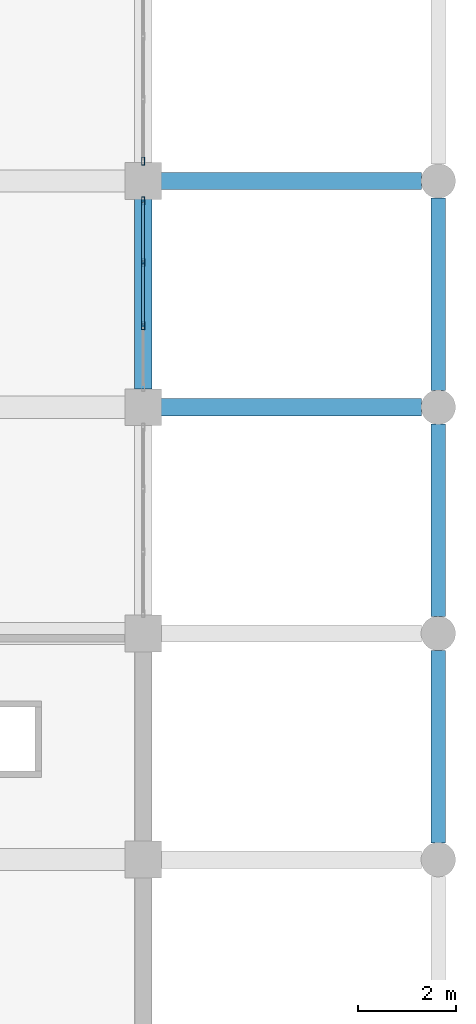
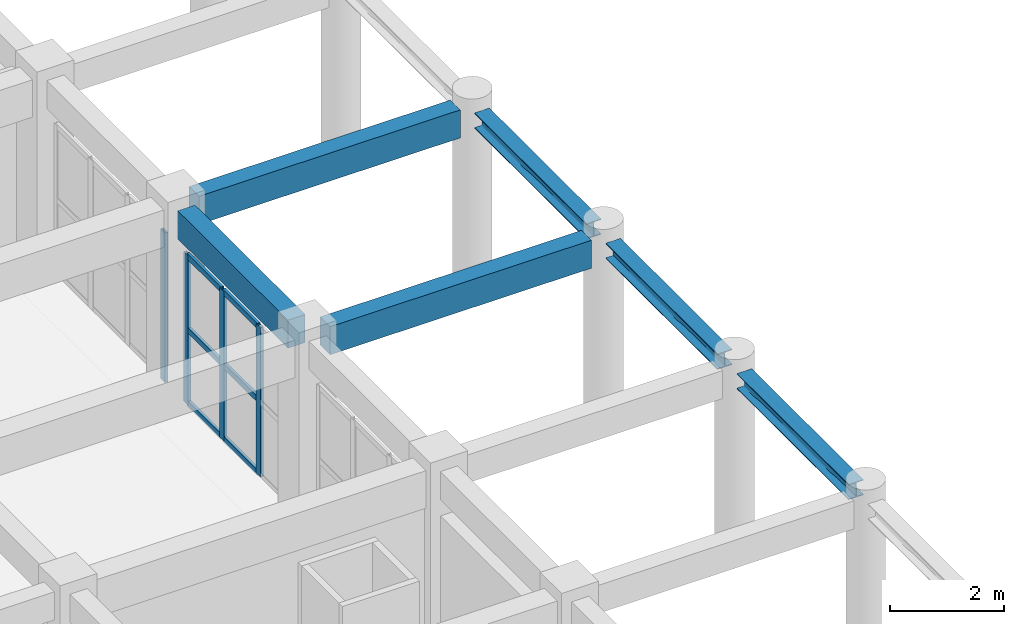
# One storey, part 73 of 116: 10 members, 6 beams, 2 elements without a shape of their own.
"""IFC4 building model written with IfcOpenShell, lengths in metres."""

import ifcopenshell
import ifcopenshell.guid

model = None  # the IFC model being written
_history = None  # IfcOwnerHistory: only IFC2X3 demands one
_inside = {}  # id of a spatial element -> (the spatial element, [elements in it])
_under = {}  # id of a project, library or spatial element -> (it, [spatial elements below it])
_declared = {}  # id of a project -> (the project, [libraries it declares])
_typed = {}  # id of a type object -> (the type object, [elements of that type])
_made_of = {}  # id of a material, layer set ... -> (it, [elements and type objects made of it])


def new_model(schema):
    """Start an empty IFC model of exactly this schema.

    Asked for "IFC4X3", IfcOpenShell would pick the latest addendum, in which some entities
    have other attributes; the version numbers below select the first issue.
    IFC2X3 requires an IfcOwnerHistory on every rooted entity: one is made here for all.
    """
    global model, _history
    if schema == "IFC4X3":
        model = ifcopenshell.file(schema_version=(4, 3, 0, 0))
    else:
        model = ifcopenshell.file(schema=schema)
    _inside.clear()
    _under.clear()
    _declared.clear()
    _typed.clear()
    _made_of.clear()
    _history = None
    if model.schema == "IFC2X3":
        org = make("IfcOrganization", Name="unknown")
        user = make(
            "IfcPersonAndOrganization",
            ThePerson=make("IfcPerson", FamilyName="unknown"),
            TheOrganization=org,
        )
        app = make(
            "IfcApplication",
            ApplicationDeveloper=org,
            Version="unknown",
            ApplicationFullName="unknown",
            ApplicationIdentifier="unknown",
        )
        _history = make(
            "IfcOwnerHistory",
            OwningUser=user,
            OwningApplication=app,
            ChangeAction="ADDED",
            CreationDate=0,
        )
    return model


def make(cls, **values):
    """One entity of the class cls with the attributes given. An attribute that is None is left unset."""
    return model.create_entity(
        cls, **{name: value for name, value in values.items() if value is not None}
    )


def rooted(cls, **values):
    """An entity with a GlobalId (a new one), such as an element, a storey or a relation."""
    return make(cls, GlobalId=ifcopenshell.guid.new(), OwnerHistory=_history, **values)


def si_unit(unit_type, name, prefix=None):
    """IfcSIUnit, for example si_unit("LENGTHUNIT", "METRE", prefix="MILLI")."""
    return make("IfcSIUnit", UnitType=unit_type, Prefix=prefix, Name=name)


def assignment(units):
    """IfcUnitAssignment: the units of a project."""
    return None if units is None else make("IfcUnitAssignment", Units=units)


def point(xyz):
    """IfcCartesianPoint."""
    return None if xyz is None else make("IfcCartesianPoint", Coordinates=xyz)


def direction(xyz):
    """IfcDirection."""
    return None if xyz is None else make("IfcDirection", DirectionRatios=xyz)


def frame(location, z_axis=None, x_axis=None):
    """IfcAxis2Placement3D, a coordinate frame: its origin and axes. An axis left out is left unset."""
    return make(
        "IfcAxis2Placement3D",
        Location=point(location),
        Axis=direction(z_axis),
        RefDirection=direction(x_axis),
    )


def frame_2d(location, x_axis=None):
    """IfcAxis2Placement2D, a coordinate frame in the plane: its origin and x axis."""
    return make(
        "IfcAxis2Placement2D", Location=point(location), RefDirection=direction(x_axis)
    )


def origin():
    """The frame at (0, 0, 0) with its axes left unset."""
    return frame((0.0, 0.0, 0.0))


def origin_2d():
    """The frame at (0, 0) in the plane with its x axis left unset."""
    return frame_2d((0.0, 0.0))


def place(relative_to, where):
    """IfcLocalPlacement: puts the frame where relative to a parent placement (None: the world)."""
    return make(
        "IfcLocalPlacement", PlacementRelTo=relative_to, RelativePlacement=where
    )


def context(
    kind, dimensions, precision=None, world=None, true_north=None, identifier=None
):
    """IfcGeometricRepresentationContext, for example the 3D "Model" context."""
    return make(
        "IfcGeometricRepresentationContext",
        ContextIdentifier=identifier,
        ContextType=kind,
        CoordinateSpaceDimension=dimensions,
        Precision=precision,
        WorldCoordinateSystem=world,
        TrueNorth=true_north,
    )


def subcontext(parent, identifier, kind, view, scale=None):
    """IfcGeometricRepresentationSubContext, for example "Body" below "Model"."""
    return make(
        "IfcGeometricRepresentationSubContext",
        ContextIdentifier=identifier,
        ContextType=kind,
        ParentContext=parent,
        TargetScale=scale,
        TargetView=view,
    )


def project(units=None, contexts=None):
    """IfcProject with its units and contexts."""
    return rooted(
        "IfcProject",
        Name="project",
        RepresentationContexts=contexts,
        UnitsInContext=assignment(units),
    )


def spatial(cls, under=None, at=None, **own):
    """A site, building, storey or space (cls), placed at a placement, below another one or the project."""
    s = rooted(cls, ObjectPlacement=at, **own)
    if under is not None:
        _under.setdefault(under.id(), (under, []))[1].append(s)
    return s


def profile(cls, at=None, kind="AREA", **sizes):
    """A parametric profile (cls). Its sizes go by their IFC names, for example OverallWidth=200.0."""
    return make(cls, ProfileType=kind, Position=at, **sizes)


def rectangle(**sizes):
    """IfcRectangleProfileDef."""
    return profile("IfcRectangleProfileDef", **sizes)


def hollow_rectangle(**sizes):
    """IfcRectangleHollowProfileDef."""
    return profile("IfcRectangleHollowProfileDef", **sizes)


def i_section(**sizes):
    """IfcIShapeProfileDef."""
    return profile("IfcIShapeProfileDef", **sizes)


def extrude(swept, where, along, depth):
    """IfcExtrudedAreaSolid: the profile swept, set in the frame where, extruded along a direction by depth."""
    return make(
        "IfcExtrudedAreaSolid",
        SweptArea=swept,
        Position=where,
        ExtrudedDirection=direction(along),
        Depth=depth,
    )


def shape(context_of_items, identifier, shape_type, items):
    """IfcShapeRepresentation: the items that make up one representation, for example the "Body"."""
    return make(
        "IfcShapeRepresentation",
        ContextOfItems=context_of_items,
        RepresentationIdentifier=identifier,
        RepresentationType=shape_type,
        Items=items,
    )


def material(Name=None, Category=None):
    """IfcMaterial."""
    return make("IfcMaterial", Name=Name, Category=Category)


def layer(
    of_material, thickness, ventilated=None, Name=None, Category=None, Priority=None
):
    """IfcMaterialLayer: one layer of a wall or slab, of a material (None: an air gap)."""
    return make(
        "IfcMaterialLayer",
        Material=of_material,
        LayerThickness=thickness,
        IsVentilated=ventilated,
        Name=Name,
        Category=Category,
        Priority=Priority,
    )


def layer_set(layers, Name=None):
    """IfcMaterialLayerSet."""
    return make("IfcMaterialLayerSet", MaterialLayers=layers, LayerSetName=Name)


def material_profile(
    of_material, cross_section, Name=None, Category=None, Priority=None
):
    """IfcMaterialProfile: a cross section and its material."""
    return make(
        "IfcMaterialProfile",
        Name=Name,
        Material=of_material,
        Profile=cross_section,
        Priority=Priority,
        Category=Category,
    )


def profile_set(profiles, Name=None, composite=None):
    """IfcMaterialProfileSet."""
    return make(
        "IfcMaterialProfileSet",
        Name=Name,
        MaterialProfiles=profiles,
        CompositeProfile=composite,
    )


def made_of(thing, what):
    """Note that an element or type object is made of a material, layer set ...; save() writes the relation."""
    if what is not None:
        _made_of.setdefault(what.id(), (what, []))[1].append(thing)
    return thing


def type_object(cls, material=None, **own):
    """A type object (cls), such as IfcWallType, which elements share."""
    return made_of(rooted(cls, **own), material)


def element(
    cls,
    number,
    at=None,
    inside=None,
    cuts=None,
    type_object=None,
    material=None,
    context=None,
    identifier="Body",
    shape_type=None,
    held_by="IfcProductDefinitionShape",
    body=None,
    shapes=None,
    **own,
):
    """One element of the class cls, such as IfcWall. Its Tag is "e" and its number.

    at: its placement. inside: the storey or other place that contains it. cuts: it is an
    opening in that element (IfcRelVoidsElement). A single representation is given by context,
    identifier, shape_type and body (its items); several are given by shapes. held_by: the class
    of the entity that holds the representations. save() writes the other relations.
    """
    e = rooted(cls, Tag="e%d" % number, ObjectPlacement=at, **own)
    if body is not None:
        shapes = [shape(context, identifier, shape_type, body)]
    if shapes is not None:
        e.Representation = make(held_by, Representations=shapes)
    if inside is not None:
        _inside.setdefault(inside.id(), (inside, []))[1].append(e)
    if cuts is not None:
        rooted(
            "IfcRelVoidsElement", RelatingBuildingElement=cuts, RelatedOpeningElement=e
        )
    if type_object is not None:
        _typed.setdefault(type_object.id(), (type_object, []))[1].append(e)
    return made_of(e, material)


def aggregate(whole, parts):
    """IfcRelAggregates: a whole, such as a stair, and the parts it consists of."""
    return rooted("IfcRelAggregates", RelatingObject=whole, RelatedObjects=parts)


def save(model, path):
    """Write the relations noted so far, then the file.

    IfcRelAggregates (storeys below a building ...), IfcRelContainedInSpatialStructure (elements
    in a storey), IfcRelDefinesByType, IfcRelAssociatesMaterial and IfcRelDeclares: one each for
    every whole, place, type object, material and project.
    """
    for whole, parts in _under.values():
        aggregate(whole, parts)
    for where, things in _inside.values():
        rooted(
            "IfcRelContainedInSpatialStructure",
            RelatedElements=things,
            RelatingStructure=where,
        )
    for kind, things in _typed.values():
        rooted("IfcRelDefinesByType", RelatedObjects=things, RelatingType=kind)
    for what, things in _made_of.values():
        rooted("IfcRelAssociatesMaterial", RelatedObjects=things, RelatingMaterial=what)
    for by, libraries in _declared.values():
        rooted("IfcRelDeclares", RelatingContext=by, RelatedDefinitions=libraries)
    model.write(path)


model = new_model("IFC4")

# Units and contexts
model_context = context("Model", 3, precision=1e-05, world=origin(), true_north=direction((0.0, 1.0)))
body_context = subcontext(model_context, "Body", "Model", "MODEL_VIEW")
ifc_project = project(units=[si_unit("LENGTHUNIT", "METRE"), si_unit("AREAUNIT", "SQUARE_METRE"), si_unit("VOLUMEUNIT", "CUBIC_METRE"), si_unit("PLANEANGLEUNIT", "RADIAN"), si_unit("MASSUNIT", "GRAM", prefix="KILO")], contexts=[model_context])

# Site, building, storey
site_placement = place(None, origin())
site = spatial("IfcSite", under=ifc_project, at=site_placement, CompositionType="ELEMENT")
building_placement = place(site_placement, origin())
building = spatial("IfcBuilding", under=site, at=building_placement, Name="Muzn Square Opera House", CompositionType="ELEMENT")
storey_placement = place(building_placement, frame((0.0, 0.0, 5.39990234375)))
storey = spatial("IfcBuildingStorey", under=building, at=storey_placement, Name="L01", CompositionType="ELEMENT", Elevation=5.39990234375)

# Curtain wall, members
ifc_material_1 = material(Name="Low-E laminated acoustic double glazing", Category="glass")
ifc_layer = layer(ifc_material_1, 0.159912109375, Name="Low-E laminated acoustic double glazing", Category="glass")
ifc_layer_set = layer_set([ifc_layer], Name="Low-E laminated acoustic double glazing")
curtain_wall_type = type_object("IfcCurtainWallType", Name="Glazed Curtain Wall EastBlvd 3850x3200", PredefinedType="USERDEFINED", material=ifc_layer_set)
curtain_wall_1_placement = place(storey_placement, origin())
curtain_wall_1 = element("IfcCurtainWall", 1, at=curtain_wall_1_placement, inside=storey, type_object=curtain_wall_type, Name="Glazed Curtain Wall CW-L01-117", ObjectType="GLAZED CURTAIN WALL", PredefinedType="USERDEFINED")
ifc_material_2 = material(Name="Anodised bronze aluminium 6063-T6", Category="metal")
ifc_material_profile_1 = material_profile(ifc_material_2, hollow_rectangle(XDim=0.06005859375, YDim=0.159912109375, WallThickness=0.00390625, at=origin_2d()), Name="ALU 160x60x4", Category="metal")
ifc_profile_set_1 = profile_set([ifc_material_profile_1], Name="Anodised bronze aluminium 6063-T6")
member_type_1 = type_object("IfcMemberType", Name="Curtain Wall Mullion 160x60", PredefinedType="MULLION", material=ifc_profile_set_1)
member_1_placement = place(storey_placement, frame((170.0, 60.458251953125, 0.0), z_axis=(0.0, 0.0, 1.0), x_axis=(-1.0, 0.0, 0.0)))
member_1 = element("IfcMember", 2, at=member_1_placement, type_object=member_type_1, Name="CW-EBL-38x32 mullion 2", PredefinedType="MULLION", context=body_context, shape_type="SweptSolid", body=[
    extrude(hollow_rectangle(XDim=0.06005859375, YDim=0.159912109375, WallThickness=0.00390625, at=origin_2d()), origin(), (0.0, 0.0, 1.0), 3.2001953125),
])
member_2_placement = place(storey_placement, frame((170.0, 61.74169921875, 0.0), z_axis=(0.0, 0.0, 1.0), x_axis=(-1.0, 0.0, 0.0)))
member_2 = element("IfcMember", 3, at=member_2_placement, type_object=member_type_1, Name="CW-EBL-38x32 mullion 3", PredefinedType="MULLION", context=body_context, shape_type="SweptSolid", body=[
    extrude(hollow_rectangle(XDim=0.06005859375, YDim=0.159912109375, WallThickness=0.00390625, at=origin_2d()), origin(), (0.0, 0.0, 1.0), 3.2001953125),
])
member_3_placement = place(storey_placement, frame((170.0, 62.9951171875, 0.0), z_axis=(0.0, 0.0, 1.0), x_axis=(-1.0, 0.0, 0.0)))
member_3 = element("IfcMember", 4, at=member_3_placement, type_object=member_type_1, Name="CW-EBL-38x32 mullion 4", PredefinedType="MULLION", context=body_context, shape_type="SweptSolid", body=[
    extrude(hollow_rectangle(XDim=0.06005859375, YDim=0.159912109375, WallThickness=0.00390625, at=origin_2d()), origin(), (0.0, 0.0, 1.0), 3.2001953125),
])

# Curtain wall, member
curtain_wall_2_placement = place(storey_placement, origin())
curtain_wall_2 = element("IfcCurtainWall", 5, at=curtain_wall_2_placement, inside=storey, type_object=curtain_wall_type, Name="Glazed Curtain Wall CW-L01-118", ObjectType="GLAZED CURTAIN WALL", PredefinedType="USERDEFINED")
member_4_placement = place(storey_placement, frame((170.0, 63.804931640625, 0.0), z_axis=(0.0, 0.0, 1.0), x_axis=(-1.0, 0.0, 0.0)))
member_4 = element("IfcMember", 6, at=member_4_placement, type_object=member_type_1, Name="CW-EBL-38x32 mullion 1", PredefinedType="MULLION", context=body_context, shape_type="SweptSolid", body=[
    extrude(hollow_rectangle(XDim=0.06005859375, YDim=0.159912109375, WallThickness=0.00390625, at=origin_2d()), origin(), (0.0, 0.0, 1.0), 3.2001953125),
])
aggregate(curtain_wall_2, [member_4])

# Member
ifc_material_profile_2 = material_profile(ifc_material_2, hollow_rectangle(XDim=0.06005859375, YDim=0.1201171875, WallThickness=0.00390625, at=origin_2d()), Name="ALU 120x60x4", Category="metal")
ifc_profile_set_2 = profile_set([ifc_material_profile_2], Name="Anodised bronze aluminium 6063-T6")
member_type_2 = type_object("IfcMemberType", Name="Curtain Wall Transom 120x60", PredefinedType="USERDEFINED", material=ifc_profile_set_2)
member_5_placement = place(storey_placement, frame((170.0, 60.48828125, 0.030029296875), z_axis=(0.0, 1.0, 0.0), x_axis=(-1.0, 0.0, 0.0)))
member_5 = element("IfcMember", 7, at=member_5_placement, type_object=member_type_2, Name="CW-EBL-38x32 transom 2.1", ObjectType="TRANSOM", PredefinedType="USERDEFINED", context=body_context, shape_type="SweptSolid", body=[
    extrude(hollow_rectangle(XDim=0.06005859375, YDim=0.1201171875, WallThickness=0.00390625, at=origin_2d()), origin(), (0.0, 0.0, 1.0), 1.223388671875),
])

member_6_placement = place(storey_placement, frame((170.0, 60.48828125, 1.60009765625), z_axis=(0.0, 1.0, 0.0), x_axis=(-1.0, 0.0, 0.0)))
member_6 = element("IfcMember", 8, at=member_6_placement, type_object=member_type_2, Name="CW-EBL-38x32 transom 2.2", ObjectType="TRANSOM", PredefinedType="USERDEFINED", context=body_context, shape_type="SweptSolid", body=[
    extrude(hollow_rectangle(XDim=0.06005859375, YDim=0.1201171875, WallThickness=0.00390625, at=origin_2d()), origin(), (0.0, 0.0, 1.0), 1.223388671875),
])

member_7_placement = place(storey_placement, frame((170.0, 60.48828125, 3.170166015625), z_axis=(0.0, 1.0, 0.0), x_axis=(-1.0, 0.0, 0.0)))
member_7 = element("IfcMember", 9, at=member_7_placement, type_object=member_type_2, Name="CW-EBL-38x32 transom 2.3", ObjectType="TRANSOM", PredefinedType="USERDEFINED", context=body_context, shape_type="SweptSolid", body=[
    extrude(hollow_rectangle(XDim=0.06005859375, YDim=0.1201171875, WallThickness=0.00390625, at=origin_2d()), origin(), (0.0, 0.0, 1.0), 1.223388671875),
])

member_8_placement = place(storey_placement, frame((170.0, 61.771728515625, 0.030029296875), z_axis=(0.0, 1.0, 0.0), x_axis=(-1.0, 0.0, 0.0)))
member_8 = element("IfcMember", 10, at=member_8_placement, type_object=member_type_2, Name="CW-EBL-38x32 transom 3.1", ObjectType="TRANSOM", PredefinedType="USERDEFINED", context=body_context, shape_type="SweptSolid", body=[
    extrude(hollow_rectangle(XDim=0.06005859375, YDim=0.1201171875, WallThickness=0.00390625, at=origin_2d()), origin(), (0.0, 0.0, 1.0), 1.193359375),
])

member_9_placement = place(storey_placement, frame((170.0, 61.771728515625, 1.60009765625), z_axis=(0.0, 1.0, 0.0), x_axis=(-1.0, 0.0, 0.0)))
member_9 = element("IfcMember", 11, at=member_9_placement, type_object=member_type_2, Name="CW-EBL-38x32 transom 3.2", ObjectType="TRANSOM", PredefinedType="USERDEFINED", context=body_context, shape_type="SweptSolid", body=[
    extrude(hollow_rectangle(XDim=0.06005859375, YDim=0.1201171875, WallThickness=0.00390625, at=origin_2d()), origin(), (0.0, 0.0, 1.0), 1.193359375),
])

member_10_placement = place(storey_placement, frame((170.0, 61.771728515625, 3.170166015625), z_axis=(0.0, 1.0, 0.0), x_axis=(-1.0, 0.0, 0.0)))
member_10 = element("IfcMember", 12, at=member_10_placement, type_object=member_type_2, Name="CW-EBL-38x32 transom 3.3", ObjectType="TRANSOM", PredefinedType="USERDEFINED", context=body_context, shape_type="SweptSolid", body=[
    extrude(hollow_rectangle(XDim=0.06005859375, YDim=0.1201171875, WallThickness=0.00390625, at=origin_2d()), origin(), (0.0, 0.0, 1.0), 1.193359375),
])

aggregate(curtain_wall_1, [member_1, member_2, member_3, member_5, member_6, member_7, member_8, member_9, member_10])

# Beams
ifc_material_3 = material(Name="Concrete C40/50", Category="concrete")
ifc_material_profile_3 = material_profile(ifc_material_3, rectangle(XDim=0.35009765625, YDim=0.60009765625, at=origin_2d()), Name="RCB 350x600", Category="concrete")
ifc_profile_set_3 = profile_set([ifc_material_profile_3], Name="Concrete C40/50")
beam_type_1 = type_object("IfcBeamType", Name="Primary Girder 350x600", PredefinedType="BEAM", material=ifc_profile_set_3)
for number, where, z_axis, x_axis, name in (
    (13, (170.366943359375, 58.800048828125, 3.85009765625), (1.0, 0.0, 0.0), (0.0, 1.0, 0.0), "Primary Girder BM-L01-BM-PG600-1704_588_1757_588-1393"),
    (14, (170.366943359375, 63.39990234375, 3.85009765625), (1.0, 0.0, 0.0), (0.0, 1.0, 0.0), "Primary Girder BM-L01-BM-PG600-1704_634_1757_634-1411"),
):
    element("IfcBeam", number, at=place(storey_placement, frame(where, z_axis=z_axis, x_axis=x_axis)), inside=storey, type_object=beam_type_1, Name=name, PredefinedType="BEAM", context=body_context, shape_type="SweptSolid", body=[
        extrude(rectangle(XDim=0.35009765625, YDim=0.60009765625, at=origin_2d()), origin(), (0.0, 0.0, 1.0), 5.291015625),
    ])
beam_placement = place(storey_placement, frame((170.0, 59.1669921875, 3.85009765625), z_axis=(0.0, 1.0, 0.0), x_axis=(-1.0, 0.0, 0.0)))
element("IfcBeam", 15, at=beam_placement, inside=storey, type_object=beam_type_1, Name="Primary Girder BM-L01-BM-PG600-1700_592_1700_630-1776", PredefinedType="BEAM", context=body_context, shape_type="SweptSolid", body=[
    extrude(rectangle(XDim=0.35009765625, YDim=0.60009765625, at=origin_2d()), origin(), (0.0, 0.0, 1.0), 3.865966796875),
])
ifc_material_4 = material(Name="Steel S355", Category="steel")
ifc_material_profile_4 = material_profile(ifc_material_4, i_section(OverallWidth=0.300048828125, OverallDepth=0.330078125, WebThickness=0.009521484375, FlangeThickness=0.0166015625, FilletRadius=0.027099609375, at=origin_2d()), Name="HEA 340", Category="steel")
ifc_profile_set_4 = profile_set([ifc_material_profile_4], Name="Steel S355")
beam_type_2 = type_object("IfcBeamType", Name="Steel Spandrel Beam HEA340", PredefinedType="SPANDREL", material=ifc_profile_set_4)
for number, where, z_axis, x_axis, name in (
    (16, (176.0, 49.94189453125, 3.955078125), (0.0, 1.0, 0.0), (-1.0, 0.0, 0.0), "Spandrel Beam BM-L01-BM-SSP340-1760_499_1760_539-1791"),
    (17, (176.0, 54.5419921875, 3.955078125), (0.0, 1.0, 0.0), (-1.0, 0.0, 0.0), "Spandrel Beam BM-L01-BM-SSP340-1760_545_1760_585-1792"),
    (18, (176.0, 59.14208984375, 3.955078125), (0.0, 1.0, 0.0), (-1.0, 0.0, 0.0), "Spandrel Beam BM-L01-BM-SSP340-1760_591_1760_631-1793"),
):
    element("IfcBeam", number, at=place(storey_placement, frame(where, z_axis=z_axis, x_axis=x_axis)), inside=storey, type_object=beam_type_2, Name=name, PredefinedType="SPANDREL", context=body_context, shape_type="SweptSolid", body=[
        extrude(i_section(OverallWidth=0.300048828125, OverallDepth=0.330078125, WebThickness=0.009521484375, FlangeThickness=0.0166015625, FilletRadius=0.027099609375, at=origin_2d()), origin(), (0.0, 0.0, 1.0), 3.916015625),
    ])

save(model, "model.ifc")
